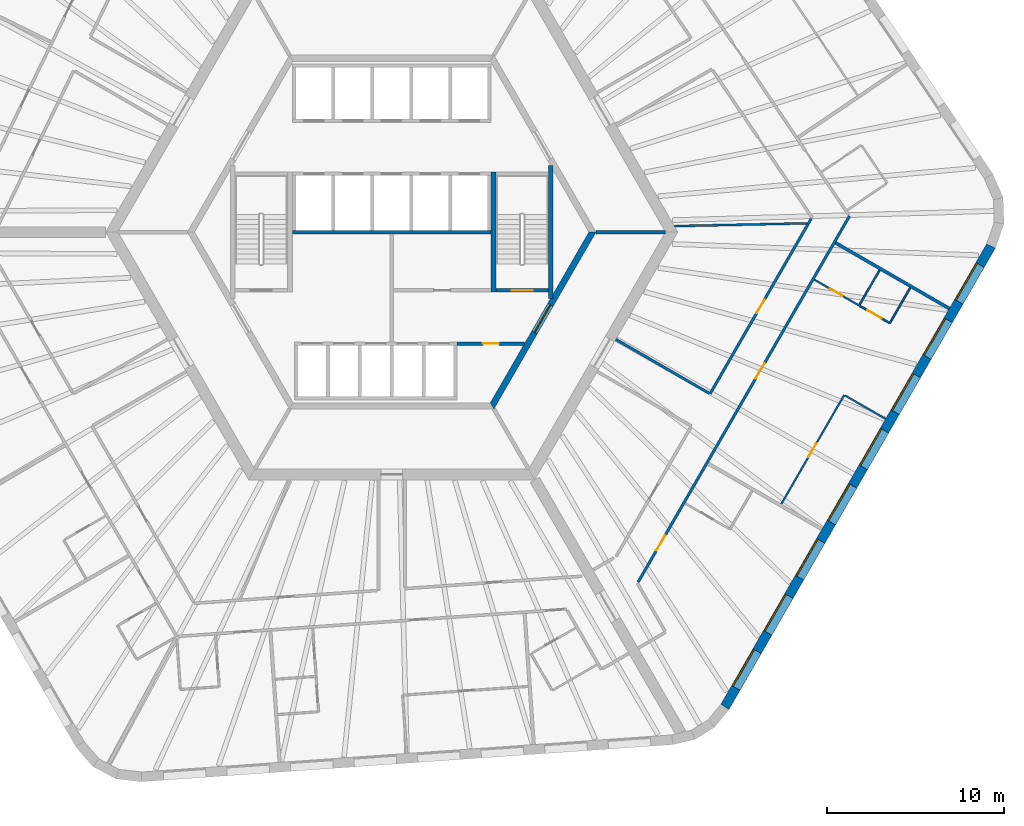
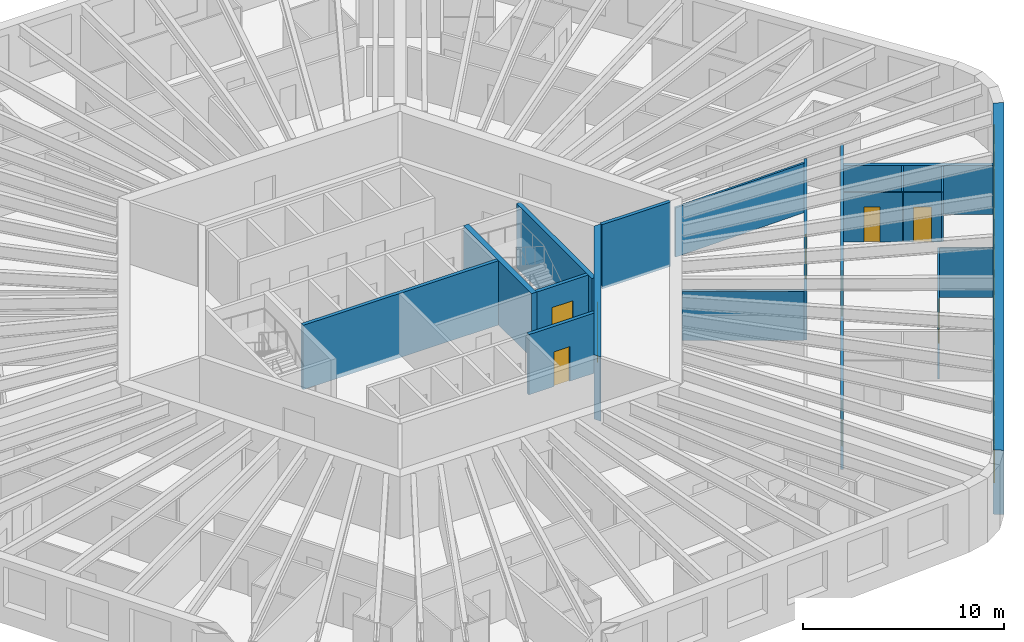
# One storey, part 6 of 12: 19 walls, 9 doors, 8 windows, 17 openings.
"""IFC4 building model written with IfcOpenShell, lengths in metres."""

from ifc_helpers import new_model, si_unit, direction, frame, frame_2d, origin, place, context, subcontext, project, spatial, polyline, rectangle, outline, extrude, material, layer, layer_set, type_object, element, fill, save


model = new_model("IFC4")

# Units and contexts
model_context = context("Model", 3, precision=1e-05, world=origin(), true_north=direction((0.0, 1.0)))
body_context = subcontext(model_context, "Body", "Model", "MODEL_VIEW")
ifc_project = project(units=[si_unit("LENGTHUNIT", "METRE"), si_unit("AREAUNIT", "SQUARE_METRE"), si_unit("VOLUMEUNIT", "CUBIC_METRE"), si_unit("PLANEANGLEUNIT", "RADIAN"), si_unit("MASSUNIT", "GRAM", prefix="KILO")], contexts=[model_context])

# Site, building, storey
site_placement = place(None, origin())
site = spatial("IfcSite", under=ifc_project, at=site_placement, CompositionType="ELEMENT")
building_placement = place(site_placement, origin())
building = spatial("IfcBuilding", under=site, at=building_placement, Name="Tarnside Tower", CompositionType="ELEMENT")
storey_placement = place(building_placement, frame((0.0, 0.0, 131.10009765625)))
storey = spatial("IfcBuildingStorey", under=building, at=storey_placement, Name="L30", CompositionType="ELEMENT", Elevation=131.10009765625)

# Wall, opening, door
ifc_material_1 = material(Name="Gypsum board partition on steel studs", Category="steel")
ifc_layer_1 = layer(ifc_material_1, 0.10009765625)
ifc_layer_set_1 = layer_set([ifc_layer_1], Name="Bathroom wall 100")
wall_type_1 = type_object("IfcWallType", Name="Bathroom wall 100", PredefinedType="PARTITIONING", material=ifc_layer_set_1)
wall_1_placement = place(storey_placement, frame((26.412841796875, -4.151611328125, 0.0), z_axis=(0.0, 0.0, 1.0), x_axis=(-0.86601045545, 0.500025890382, 0.0)))
wall_1 = element("IfcWall", 1, at=wall_1_placement, inside=storey, type_object=wall_type_1, Name="Bathroom wall 09148", PredefinedType="PARTITIONING", context=body_context, shape_type="SweptSolid", body=[
    extrude(rectangle(XDim=2.925048828125, YDim=0.10009765625, at=frame_2d((1.46240234375, 0.0))), origin(), (0.0, 0.0, 1.0), 2.98779296875),
])
opening_1_placement = place(wall_1_placement, frame((1.10009765625, 0.0, 0.0)))
opening_1 = element("IfcOpeningElement", 2, at=opening_1_placement, cuts=wall_1, Name="Opening D-B1", PredefinedType="OPENING", context=body_context, shape_type="SweptSolid", body=[
    extrude(rectangle(XDim=0.800048828125, YDim=2.10009765625, at=frame_2d((0.39990234375, 1.050048828125))), frame((0.0, 0.06005859375, 0.0), z_axis=(0.0, -1.0, 0.0), x_axis=(1.0, 0.0, 0.0)), (0.0, 0.0, 1.0), 0.1201171875),
])
ifc_material_2 = material(Name="Timber door leaf", Category="wood")
door_type_1 = type_object("IfcDoorType", Name="Bathroom door 800", OperationType="NOTDEFINED", PredefinedType="DOOR", material=ifc_material_2)
door_1_placement = place(opening_1_placement, origin())
door_1 = element("IfcDoor", 3, at=door_1_placement, inside=storey, type_object=door_type_1, Name="Bathroom door 09034", OperationType="SINGLE_SWING_LEFT", OverallHeight=2.10009765625, OverallWidth=0.800048828125, PredefinedType="DOOR", context=body_context, shape_type="SweptSolid", body=[
    extrude(rectangle(XDim=0.800048828125, YDim=2.10009765625, at=frame_2d((0.39990234375, 1.050048828125))), frame((0.0, 0.02490234375, 0.0), z_axis=(0.0, -1.0, 0.0), x_axis=(1.0, 0.0, 0.0)), (0.0, 0.0, 1.0), 0.050048828125),
])
fill(opening_1, door_1)

# Wall
wall_2_placement = place(storey_placement, frame((26.43798828125, -4.1083984375, 0.0), z_axis=(0.0, 0.0, 1.0), x_axis=(0.49995000081, 0.866054268906, 0.0)))
element("IfcWall", 4, at=wall_2_placement, inside=storey, type_object=wall_type_1, Name="Bathroom wall 09154", PredefinedType="PARTITIONING", context=body_context, shape_type="SweptSolid", body=[
    extrude(rectangle(XDim=2.260009765625, YDim=0.10009765625, at=frame_2d((1.1298828125, 0.0))), origin(), (0.0, 0.0, 1.0), 2.98779296875),
])

# Wall, opening, door
ifc_material_3 = material(Name="Concrete C50/60", Category="concrete")
ifc_layer_2 = layer(ifc_material_3, 0.35009765625)
ifc_layer_set_2 = layer_set([ifc_layer_2], Name="Core block wall 350 C50/60")
wall_type_2 = type_object("IfcWallType", Name="Core block wall 350 C50/60", PredefinedType="SHEAR", material=ifc_layer_set_2)
wall_3_placement = place(storey_placement, frame((5.672607421875, -9.824951171875, -0.150146484375), z_axis=(0.0, 0.0, 1.0), x_axis=(0.499995046907, 0.866028263435, 0.0)))
wall_3 = element("IfcWall", 5, at=wall_3_placement, inside=storey, type_object=wall_type_2, Name="L30 core block wall face 5", PredefinedType="SHEAR", context=body_context, shape_type="SweptSolid", body=[
    extrude(outline(polyline([(-0.10107421875, -0.175048828125), (11.44580078125, -0.175048828125), (11.24365234375, 0.175048828125), (0.10107421875, 0.175048828125), (-0.10107421875, -0.175048828125)])), origin(), (0.0, 0.0, 1.0), 3.900146484375),
])
opening_2_placement = place(wall_3_placement, frame((4.80126953125, 0.0, 0.14990234375)))
opening_2 = element("IfcOpeningElement", 6, at=opening_2_placement, cuts=wall_3, Name="Opening CD-FFL", PredefinedType="OPENING", context=body_context, shape_type="SweptSolid", body=[
    extrude(rectangle(XDim=1.800048828125, YDim=2.39990234375, at=frame_2d((0.89990234375, 1.199951171875))), frame((0.0, 0.18505859375, 0.0), z_axis=(0.0, -1.0, 0.0), x_axis=(1.0, 0.0, 0.0)), (0.0, 0.0, 1.0), 0.3701171875),
])
ifc_material_4 = material(Name="Steel fire door", Category="steel")
door_type_2 = type_object("IfcDoorType", Name="Firefighting lobby double door FD60S 1800x2400", OperationType="NOTDEFINED", PredefinedType="DOOR", material=ifc_material_4)
door_2_placement = place(opening_2_placement, origin())
door_2 = element("IfcDoor", 7, at=door_2_placement, inside=storey, type_object=door_type_2, Name="L30 lobby block door P4", OperationType="DOUBLE_DOOR_SINGLE_SWING", OverallHeight=2.39990234375, OverallWidth=1.800048828125, PredefinedType="DOOR", context=body_context, shape_type="SweptSolid", body=[
    extrude(rectangle(XDim=1.800048828125, YDim=2.39990234375, at=frame_2d((0.89990234375, 1.199951171875))), frame((0.0, 0.02490234375, 0.0), z_axis=(0.0, -1.0, 0.0), x_axis=(1.0, 0.0, 0.0)), (0.0, 0.0, 1.0), 0.050048828125),
])
fill(opening_2, door_2)

ifc_material_5 = material(Name="Concrete C40/50", Category="concrete")
ifc_layer_3 = layer(ifc_material_5, 0.199951171875)
ifc_layer_set_3 = layer_set([ifc_layer_3], Name="Core room partition 200 C40/50")
wall_type_3 = type_object("IfcWallType", Name="Core room partition 200 C40/50", PredefinedType="PARTITIONING", material=ifc_layer_set_3)
wall_4_placement = place(storey_placement, frame((3.699951171875, -6.300048828125, 0.0), z_axis=(0.0, 0.0, 1.0), x_axis=(1.0, 0.0, 0.0)))
wall_4 = element("IfcWall", 8, at=wall_4_placement, inside=storey, type_object=wall_type_3, Name="L30 core partition R4X", PredefinedType="PARTITIONING", context=body_context, shape_type="SweptSolid", body=[
    extrude(rectangle(XDim=3.8056640625, YDim=0.199951171875, at=frame_2d((1.90283203125, 0.0))), origin(), (0.0, 0.0, 1.0), 3.64990234375),
])
opening_3_placement = place(wall_4_placement, frame((1.452880859375, 0.0, 0.0)))
opening_3 = element("IfcOpeningElement", 9, at=opening_3_placement, cuts=wall_4, Name="Opening CD-room", PredefinedType="OPENING", context=body_context, shape_type="SweptSolid", body=[
    extrude(rectangle(XDim=0.89990234375, YDim=2.10009765625, at=frame_2d((0.449951171875, 1.050048828125))), frame((0.0, 0.10986328125, 0.0), z_axis=(0.0, -1.0, 0.0), x_axis=(1.0, 0.0, 0.0)), (0.0, 0.0, 1.0), 0.219970703125),
])
door_type_3 = type_object("IfcDoorType", Name="Room door FD60 900x2100", OperationType="NOTDEFINED", PredefinedType="DOOR", material=ifc_material_4)
door_3_placement = place(opening_3_placement, origin())
door_3 = element("IfcDoor", 10, at=door_3_placement, inside=storey, type_object=door_type_3, Name="L30 core room door RX", OperationType="SINGLE_SWING_LEFT", OverallHeight=2.10009765625, OverallWidth=0.89990234375, PredefinedType="DOOR", context=body_context, shape_type="SweptSolid", body=[
    extrude(rectangle(XDim=0.89990234375, YDim=2.10009765625, at=frame_2d((0.449951171875, 1.050048828125))), frame((0.0, 0.02490234375, 0.0), z_axis=(0.0, -1.0, 0.0), x_axis=(1.0, 0.0, 0.0)), (0.0, 0.0, 1.0), 0.050048828125),
])
fill(opening_3, door_3)

# Wall, openings, doors
ifc_layer_4 = layer(ifc_material_1, 0.14990234375)
ifc_layer_set_4 = layer_set([ifc_layer_4], Name="Corridor wall 150 EI 60")
wall_type_4 = type_object("IfcWallType", Name="Corridor wall 150 EI 60", PredefinedType="PARTITIONING", material=ifc_layer_set_4)
wall_5_placement = place(storey_placement, frame((13.928466796875, -19.77490234375, 0.0), z_axis=(0.0, 0.0, 1.0), x_axis=(0.50000450071, 0.866022805283, 0.0)))
wall_5 = element("IfcWall", 11, at=wall_5_placement, inside=storey, type_object=wall_type_4, Name="Corridor wall 09056", PredefinedType="PARTITIONING", context=body_context, shape_type="SweptSolid", body=[
    extrude(rectangle(XDim=23.877197265625, YDim=0.14990234375, at=frame_2d((11.9384765625, 0.0))), origin(), (0.0, 0.0, 1.0), 2.98779296875),
])
opening_4_placement = place(wall_5_placement, frame((2.04296875, 0.0, 0.0)))
opening_4 = element("IfcOpeningElement", 12, at=opening_4_placement, cuts=wall_5, Name="Opening D-E1", PredefinedType="OPENING", context=body_context, shape_type="SweptSolid", body=[
    extrude(rectangle(XDim=1.0, YDim=2.10009765625, at=frame_2d((0.5, 1.050048828125))), frame((0.0, 0.0849609375, 0.0), z_axis=(0.0, -1.0, 0.0), x_axis=(1.0, 0.0, 0.0)), (0.0, 0.0, 1.0), 0.169921875),
])
opening_5_placement = place(wall_5_placement, frame((13.2724609375, 0.0, 0.0)))
opening_5 = element("IfcOpeningElement", 13, at=opening_5_placement, cuts=wall_5, Name="Opening D-E1", PredefinedType="OPENING", context=body_context, shape_type="SweptSolid", body=[
    extrude(rectangle(XDim=1.0, YDim=2.10009765625, at=frame_2d((0.5, 1.050048828125))), frame((0.0, 0.0849609375, 0.0), z_axis=(0.0, -1.0, 0.0), x_axis=(1.0, 0.0, 0.0)), (0.0, 0.0, 1.0), 0.169921875),
])
door_type_4 = type_object("IfcDoorType", Name="Unit entrance door 1000 FD30S", OperationType="NOTDEFINED", PredefinedType="DOOR", material=ifc_material_2)
door_4_placement = place(opening_4_placement, origin())
door_4 = element("IfcDoor", 14, at=door_4_placement, inside=storey, type_object=door_type_4, Name="Unit door 09031", OperationType="SINGLE_SWING_RIGHT", OverallHeight=2.10009765625, OverallWidth=1.0, PredefinedType="DOOR", context=body_context, shape_type="SweptSolid", body=[
    extrude(rectangle(XDim=1.0, YDim=2.10009765625, at=frame_2d((0.5, 1.050048828125))), frame((0.0, 0.02490234375, 0.0), z_axis=(0.0, -1.0, 0.0), x_axis=(1.0, 0.0, 0.0)), (0.0, 0.0, 1.0), 0.050048828125),
])
fill(opening_4, door_4)
door_5_placement = place(opening_5_placement, origin())
door_5 = element("IfcDoor", 15, at=door_5_placement, inside=storey, type_object=door_type_4, Name="Unit door 09033", OperationType="SINGLE_SWING_RIGHT", OverallHeight=2.10009765625, OverallWidth=1.0, PredefinedType="DOOR", context=body_context, shape_type="SweptSolid", body=[
    extrude(rectangle(XDim=1.0, YDim=2.10009765625, at=frame_2d((0.5, 1.050048828125))), frame((0.0, 0.02490234375, 0.0), z_axis=(0.0, -1.0, 0.0), x_axis=(1.0, 0.0, 0.0)), (0.0, 0.0, 1.0), 0.050048828125),
])
fill(opening_5, door_5)

# Wall, opening, door
wall_6_placement = place(storey_placement, frame((23.704345703125, 0.757080078125, 0.0), z_axis=(0.0, 0.0, 1.0), x_axis=(-0.500010297365, -0.866019458516, 0.0)))
wall_6 = element("IfcWall", 16, at=wall_6_placement, inside=storey, type_object=wall_type_4, Name="Corridor wall 09071", PredefinedType="PARTITIONING", context=body_context, shape_type="SweptSolid", body=[
    extrude(rectangle(XDim=11.428955078125, YDim=0.14990234375, at=frame_2d((5.71435546875, 0.0))), origin(), (0.0, 0.0, 1.0), 2.98779296875),
])
opening_6_placement = place(wall_6_placement, frame((5.264404296875, 0.0, 0.0)))
opening_6 = element("IfcOpeningElement", 17, at=opening_6_placement, cuts=wall_6, Name="Opening D-S1", PredefinedType="OPENING", context=body_context, shape_type="SweptSolid", body=[
    extrude(rectangle(XDim=0.89990234375, YDim=2.10009765625, at=frame_2d((0.449951171875, 1.050048828125))), frame((0.0, 0.0849609375, 0.0), z_axis=(0.0, -1.0, 0.0), x_axis=(1.0, 0.0, 0.0)), (0.0, 0.0, 1.0), 0.169921875),
])
door_type_5 = type_object("IfcDoorType", Name="Service room door 900 FD30S", OperationType="NOTDEFINED", PredefinedType="DOOR", material=ifc_material_2)
door_6_placement = place(opening_6_placement, origin())
door_6 = element("IfcDoor", 18, at=door_6_placement, inside=storey, type_object=door_type_5, Name="Service door 09053", OperationType="SINGLE_SWING_RIGHT", OverallHeight=2.10009765625, OverallWidth=0.89990234375, PredefinedType="DOOR", context=body_context, shape_type="SweptSolid", body=[
    extrude(rectangle(XDim=0.89990234375, YDim=2.10009765625, at=frame_2d((0.449951171875, 1.050048828125))), frame((0.0, 0.02490234375, 0.0), z_axis=(0.0, -1.0, 0.0), x_axis=(1.0, 0.0, 0.0)), (0.0, 0.0, 1.0), 0.050048828125),
])
fill(opening_6, door_6)

# Walls
wall_7_placement = place(storey_placement, frame((17.9248046875, -9.103271484375, 0.0), z_axis=(0.0, 0.0, 1.0), x_axis=(-0.866013586754, 0.500020467139, 0.0)))
element("IfcWall", 19, at=wall_7_placement, inside=storey, type_object=wall_type_4, Name="Corridor wall 09072", PredefinedType="PARTITIONING", context=body_context, shape_type="SweptSolid", body=[
    extrude(rectangle(XDim=6.074951171875, YDim=0.14990234375, at=frame_2d((3.03759765625, 0.0))), origin(), (0.0, 0.0, 1.0), 2.98779296875),
])
ifc_layer_5 = layer(ifc_material_1, 0.179931640625)
ifc_layer_set_5 = layer_set([ifc_layer_5], Name="Demising wall 180 EI 60")
wall_type_5 = type_object("IfcWallType", Name="Demising wall 180 EI 60", PredefinedType="PARTITIONING", material=ifc_layer_set_5)
wall_8_placement = place(storey_placement, frame((31.510009765625, -4.322998046875, 0.0), z_axis=(0.0, 0.0, 1.0), x_axis=(-0.866028983062, 0.499993800457, 0.0)))
element("IfcWall", 20, at=wall_8_placement, inside=storey, type_object=wall_type_5, Name="Demising wall 09153", PredefinedType="PARTITIONING", context=body_context, shape_type="SweptSolid", body=[
    extrude(rectangle(XDim=7.4248046875, YDim=0.179931640625, at=frame_2d((3.71240234375, 0.0))), origin(), (0.0, 0.0, 1.0), 2.98779296875),
])
ifc_layer_6 = layer(ifc_material_5, 0.199951171875)
ifc_layer_set_6 = layer_set([ifc_layer_6], Name="Lift shaft wall 200 C40/50")
wall_type_6 = type_object("IfcWallType", Name="Lift shaft wall 200 C40/50", PredefinedType="SHEAR", material=ifc_layer_set_6)
wall_9_placement = place(storey_placement, frame((-5.60009765625, 0.0, -0.25), z_axis=(0.0, 0.0, 1.0), x_axis=(1.0, 0.0, 0.0)))
element("IfcWall", 21, at=wall_9_placement, inside=storey, type_object=wall_type_6, Name="L30 lift shaft back wall R2", PredefinedType="SHEAR", context=body_context, shape_type="SweptSolid", body=[
    extrude(rectangle(XDim=11.2001953125, YDim=0.199951171875, at=frame_2d((5.60009765625, 0.0))), origin(), (0.0, 0.0, 1.0), 3.89990234375),
])
wall_10_placement = place(storey_placement, frame((11.547119140625, 0.0, -0.150146484375), z_axis=(0.0, 0.0, 1.0), x_axis=(1.0, 0.0, 0.0)))
element("IfcWall", 22, at=wall_10_placement, inside=storey, type_object=wall_type_6, Name="L30 core partition AR0", PredefinedType="SHEAR", context=body_context, shape_type="SweptSolid", body=[
    extrude(rectangle(XDim=3.92578125, YDim=0.199951171875, at=frame_2d((1.962890625, 0.0))), origin(), (0.0, 0.0, 1.0), 3.900146484375),
])

# Wall, opening, door
wall_11_placement = place(storey_placement, frame((5.89990234375, -3.300048828125, -0.25), z_axis=(0.0, 0.0, 1.0), x_axis=(1.0, 0.0, 0.0)))
wall_11 = element("IfcWall", 23, at=wall_11_placement, inside=storey, type_object=wall_type_6, Name="L30 stair 1 enclosure cap wall s", PredefinedType="SHEAR", context=body_context, shape_type="SweptSolid", body=[
    extrude(rectangle(XDim=2.9501953125, YDim=0.199951171875, at=frame_2d((1.47509765625, 0.0))), origin(), (0.0, 0.0, 1.0), 3.89990234375),
])
opening_7_placement = place(wall_11_placement, frame((0.875, 0.0, 0.25)))
opening_7 = element("IfcOpeningElement", 24, at=opening_7_placement, cuts=wall_11, Name="Opening CD-STR", PredefinedType="OPENING", context=body_context, shape_type="SweptSolid", body=[
    extrude(rectangle(XDim=1.199951171875, YDim=2.39990234375, at=frame_2d((0.60009765625, 1.199951171875))), frame((0.0, 0.10986328125, 0.0), z_axis=(0.0, -1.0, 0.0), x_axis=(1.0, 0.0, 0.0)), (0.0, 0.0, 1.0), 0.219970703125),
])
door_type_6 = type_object("IfcDoorType", Name="Stair door FD60S 1200x2400", OperationType="NOTDEFINED", PredefinedType="DOOR", material=ifc_material_4)
door_7_placement = place(opening_7_placement, origin())
door_7 = element("IfcDoor", 25, at=door_7_placement, inside=storey, type_object=door_type_6, Name="L30 stair 1 door", OperationType="SINGLE_SWING_LEFT", OverallHeight=2.39990234375, OverallWidth=1.199951171875, PredefinedType="DOOR", context=body_context, shape_type="SweptSolid", body=[
    extrude(rectangle(XDim=1.199951171875, YDim=2.39990234375, at=frame_2d((0.60009765625, 1.199951171875))), frame((0.0, 0.02490234375, 0.0), z_axis=(0.0, -1.0, 0.0), x_axis=(1.0, 0.0, 0.0)), (0.0, 0.0, 1.0), 0.050048828125),
])
fill(opening_7, door_7)

# Wall
ifc_layer_7 = layer(ifc_material_1, 0.10009765625)
ifc_layer_set_7 = layer_set([ifc_layer_7], Name="Partition 100")
wall_type_7 = type_object("IfcWallType", Name="Partition 100", PredefinedType="PARTITIONING", material=ifc_layer_set_7)
wall_12_placement = place(storey_placement, frame((29.2998046875, -3.151123046875, 0.0), z_axis=(0.0, 0.0, 1.0), x_axis=(-0.499935939261, -0.866062386111, 0.0)))
element("IfcWall", 26, at=wall_12_placement, inside=storey, type_object=wall_type_7, Name="Partition wall 09149", PredefinedType="PARTITIONING", context=body_context, shape_type="SweptSolid", body=[
    extrude(rectangle(XDim=2.309814453125, YDim=0.10009765625, at=frame_2d((1.15478515625, 0.0))), origin(), (0.0, 0.0, 1.0), 2.98779296875),
])

# Wall, opening, door
wall_13_placement = place(storey_placement, frame((28.1015625, -5.12646484375, 0.0), z_axis=(0.0, 0.0, 1.0), x_axis=(-0.866044365799, 0.499967155389, 0.0)))
wall_13 = element("IfcWall", 27, at=wall_13_placement, inside=storey, type_object=wall_type_7, Name="Partition wall 09150", PredefinedType="PARTITIONING", context=body_context, shape_type="SweptSolid", body=[
    extrude(rectangle(XDim=1.900146484375, YDim=0.10009765625, at=frame_2d((0.9501953125, 0.0))), origin(), (0.0, 0.0, 1.0), 2.98779296875),
])
opening_8_placement = place(wall_13_placement, frame((0.5, 0.0, 0.0)))
opening_8 = element("IfcOpeningElement", 28, at=opening_8_placement, cuts=wall_13, Name="Opening D-I1", PredefinedType="OPENING", context=body_context, shape_type="SweptSolid", body=[
    extrude(rectangle(XDim=0.89990234375, YDim=2.10009765625, at=frame_2d((0.449951171875, 1.050048828125))), frame((0.0, 0.06005859375, 0.0), z_axis=(0.0, -1.0, 0.0), x_axis=(1.0, 0.0, 0.0)), (0.0, 0.0, 1.0), 0.1201171875),
])
door_type_7 = type_object("IfcDoorType", Name="Internal door 900", OperationType="NOTDEFINED", PredefinedType="DOOR", material=ifc_material_2)
door_8_placement = place(opening_8_placement, origin())
door_8 = element("IfcDoor", 29, at=door_8_placement, inside=storey, type_object=door_type_7, Name="Internal door 09035", OperationType="SINGLE_SWING_RIGHT", OverallHeight=2.10009765625, OverallWidth=0.89990234375, PredefinedType="DOOR", context=body_context, shape_type="SweptSolid", body=[
    extrude(rectangle(XDim=0.89990234375, YDim=2.10009765625, at=frame_2d((0.449951171875, 1.050048828125))), frame((0.0, 0.02490234375, 0.0), z_axis=(0.0, -1.0, 0.0), x_axis=(1.0, 0.0, 0.0)), (0.0, 0.0, 1.0), 0.050048828125),
])
fill(opening_8, door_8)

wall_14_placement = place(storey_placement, frame((22.0166015625, -15.365966796875, 0.0), z_axis=(0.0, 0.0, 1.0), x_axis=(0.5000167099, 0.866015756104, 0.0)))
wall_14 = element("IfcWall", 30, at=wall_14_placement, inside=storey, type_object=wall_type_7, Name="Partition wall 09151", PredefinedType="PARTITIONING", context=body_context, shape_type="SweptSolid", body=[
    extrude(rectangle(XDim=7.110107421875, YDim=0.10009765625, at=frame_2d((3.55517578125, 0.0))), origin(), (0.0, 0.0, 1.0), 2.98779296875),
])
opening_9_placement = place(wall_14_placement, frame((3.06005859375, 0.0, 0.0)))
opening_9 = element("IfcOpeningElement", 31, at=opening_9_placement, cuts=wall_14, Name="Opening D-I1", PredefinedType="OPENING", context=body_context, shape_type="SweptSolid", body=[
    extrude(rectangle(XDim=0.89990234375, YDim=2.10009765625, at=frame_2d((0.449951171875, 1.050048828125))), frame((0.0, 0.06005859375, 0.0), z_axis=(0.0, -1.0, 0.0), x_axis=(1.0, 0.0, 0.0)), (0.0, 0.0, 1.0), 0.1201171875),
])
door_9_placement = place(opening_9_placement, origin())
door_9 = element("IfcDoor", 32, at=door_9_placement, inside=storey, type_object=door_type_7, Name="Internal door 09036", OperationType="SINGLE_SWING_RIGHT", OverallHeight=2.10009765625, OverallWidth=0.89990234375, PredefinedType="DOOR", context=body_context, shape_type="SweptSolid", body=[
    extrude(rectangle(XDim=0.89990234375, YDim=2.10009765625, at=frame_2d((0.449951171875, 1.050048828125))), frame((0.0, 0.02490234375, 0.0), z_axis=(0.0, -1.0, 0.0), x_axis=(1.0, 0.0, 0.0)), (0.0, 0.0, 1.0), 0.050048828125),
])
fill(opening_9, door_9)

# Walls
wall_15_placement = place(storey_placement, frame((25.614990234375, -9.2333984375, 0.0), z_axis=(0.0, 0.0, 1.0), x_axis=(0.865989200783, -0.500062700197, 0.0)))
element("IfcWall", 33, at=wall_15_placement, inside=storey, type_object=wall_type_7, Name="Partition wall 09152", PredefinedType="PARTITIONING", context=body_context, shape_type="SweptSolid", body=[
    extrude(rectangle(XDim=2.650146484375, YDim=0.10009765625, at=frame_2d((1.3251953125, 0.0))), origin(), (0.0, 0.0, 1.0), 2.98779296875),
])
ifc_layer_8 = layer(ifc_material_1, 0.1201171875)
ifc_layer_set_8 = layer_set([ifc_layer_8], Name="Service room wall 120 EI 60")
wall_type_8 = type_object("IfcWallType", Name="Service room wall 120 EI 60", PredefinedType="PARTITIONING", material=ifc_layer_set_8)
wall_16_placement = place(storey_placement, frame((23.465576171875, 0.493408203125, 0.0), z_axis=(0.0, 0.0, 1.0), x_axis=(-0.999779281543, -0.021009240783, 0.0)))
element("IfcWall", 34, at=wall_16_placement, inside=storey, type_object=wall_type_8, Name="Service wall 09176", PredefinedType="PARTITIONING", context=body_context, shape_type="SweptSolid", body=[
    extrude(rectangle(XDim=7.495361328125, YDim=0.1201171875, at=frame_2d((3.74755859375, 0.0))), origin(), (0.0, 0.0, 1.0), 2.98779296875),
])
ifc_layer_9 = layer(ifc_material_5, 0.25)
ifc_layer_set_9 = layer_set([ifc_layer_9], Name="Stair enclosure wall 250 C40/50")
wall_type_9 = type_object("IfcWallType", Name="Stair enclosure wall 250 C40/50", PredefinedType="SHEAR", material=ifc_layer_set_9)
wall_17_placement = place(storey_placement, frame((8.97509765625, -3.7548828125, -0.25), z_axis=(0.0, 0.0, 1.0), x_axis=(0.0, 1.0, 0.0)))
element("IfcWall", 35, at=wall_17_placement, inside=storey, type_object=wall_type_9, Name="L30 stair 1 enclosure wall outer", PredefinedType="SHEAR", context=body_context, shape_type="SweptSolid", body=[
    extrude(rectangle(XDim=7.509765625, YDim=0.25, at=frame_2d((3.7548828125, 0.0))), origin(), (0.0, 0.0, 1.0), 3.89990234375),
])
ifc_layer_10 = layer(ifc_material_5, 0.300048828125)
ifc_layer_set_10 = layer_set([ifc_layer_10], Name="Stair enclosure wall 300 C40/50")
wall_type_10 = type_object("IfcWallType", Name="Stair enclosure wall 300 C40/50", PredefinedType="SHEAR", material=ifc_layer_set_10)
wall_18_placement = place(storey_placement, frame((5.75, -3.39990234375, -0.25), z_axis=(0.0, 0.0, 1.0), x_axis=(0.0, 1.0, 0.0)))
element("IfcWall", 36, at=wall_18_placement, inside=storey, type_object=wall_type_10, Name="L30 stair 1 enclosure wall inner", PredefinedType="SHEAR", context=body_context, shape_type="SweptSolid", body=[
    extrude(rectangle(XDim=6.7998046875, YDim=0.300048828125, at=frame_2d((3.39990234375, 0.0))), origin(), (0.0, 0.0, 1.0), 3.89990234375),
])

# Wall, openings, windows
ifc_material_6 = material(Name="Facing brick", Category="masonry")
ifc_layer_11 = layer(ifc_material_6, 0.10205078125)
ifc_material_7 = material(Name="Concrete C60/75 precast", Category="concrete")
ifc_layer_12 = layer(ifc_material_7, 0.347900390625)
ifc_material_8 = material(Name="Mineral wool insulation")
ifc_layer_13 = layer(ifc_material_8, 0.10009765625)
ifc_layer_set_11 = layer_set([ifc_layer_11, ifc_layer_12, ifc_layer_13], Name="Tube wall 550 brick faced")
wall_type_11 = type_object("IfcWallType", Name="Tube wall 550 brick faced", PredefinedType="SOLIDWALL", material=ifc_layer_set_11)
wall_19_placement = place(storey_placement, frame((18.830322265625, -26.834716796875, -0.150146484375), z_axis=(0.0, 0.0, 1.0), x_axis=(0.500003800416, 0.866023209602, 0.0)))
wall_19 = element("IfcWall", 37, at=wall_19_placement, inside=storey, type_object=wall_type_11, Name="Tube wall L30 F5 flush 16", PredefinedType="SOLIDWALL", context=body_context, shape_type="SweptSolid", body=[
    extrude(outline(polyline([(-0.0224609375, -0.27490234375), (30.0966796875, -0.27490234375), (30.04541015625, 0.27490234375), (0.0224609375, 0.27490234375), (-0.0224609375, -0.27490234375)])), origin(), (0.0, 0.0, 1.0), 3.900146484375),
])
opening_10_placement = place(wall_19_placement, frame((1.235595703125, 0.0, 1.050048828125)))
opening_10 = element("IfcOpeningElement", 38, at=opening_10_placement, cuts=wall_19, Name="Opening WH", PredefinedType="OPENING", context=body_context, shape_type="SweptSolid", body=[
    extrude(rectangle(XDim=2.39990234375, YDim=2.39990234375, at=frame_2d((1.199951171875, 1.199951171875))), frame((0.0, 0.28515625, 0.0), z_axis=(0.0, -1.0, 0.0), x_axis=(1.0, 0.0, 0.0)), (0.0, 0.0, 1.0), 0.570068359375),
])
opening_11_placement = place(wall_19_placement, frame((4.83544921875, 0.0, 1.050048828125)))
opening_11 = element("IfcOpeningElement", 39, at=opening_11_placement, cuts=wall_19, Name="Opening WH", PredefinedType="OPENING", context=body_context, shape_type="SweptSolid", body=[
    extrude(rectangle(XDim=2.39990234375, YDim=2.39990234375, at=frame_2d((1.199951171875, 1.199951171875))), frame((0.0, 0.28515625, 0.0), z_axis=(0.0, -1.0, 0.0), x_axis=(1.0, 0.0, 0.0)), (0.0, 0.0, 1.0), 0.570068359375),
])
opening_12_placement = place(wall_19_placement, frame((8.435546875, 0.0, 1.050048828125)))
opening_12 = element("IfcOpeningElement", 40, at=opening_12_placement, cuts=wall_19, Name="Opening WH", PredefinedType="OPENING", context=body_context, shape_type="SweptSolid", body=[
    extrude(rectangle(XDim=2.39990234375, YDim=2.39990234375, at=frame_2d((1.199951171875, 1.199951171875))), frame((0.0, 0.28515625, 0.0), z_axis=(0.0, -1.0, 0.0), x_axis=(1.0, 0.0, 0.0)), (0.0, 0.0, 1.0), 0.570068359375),
])
opening_13_placement = place(wall_19_placement, frame((12.035400390625, 0.0, 1.050048828125)))
opening_13 = element("IfcOpeningElement", 41, at=opening_13_placement, cuts=wall_19, Name="Opening WH", PredefinedType="OPENING", context=body_context, shape_type="SweptSolid", body=[
    extrude(rectangle(XDim=2.39990234375, YDim=2.39990234375, at=frame_2d((1.199951171875, 1.199951171875))), frame((0.0, 0.28515625, 0.0), z_axis=(0.0, -1.0, 0.0), x_axis=(1.0, 0.0, 0.0)), (0.0, 0.0, 1.0), 0.570068359375),
])
opening_14_placement = place(wall_19_placement, frame((15.635498046875, 0.0, 1.050048828125)))
opening_14 = element("IfcOpeningElement", 42, at=opening_14_placement, cuts=wall_19, Name="Opening WH", PredefinedType="OPENING", context=body_context, shape_type="SweptSolid", body=[
    extrude(rectangle(XDim=2.39990234375, YDim=2.39990234375, at=frame_2d((1.199951171875, 1.199951171875))), frame((0.0, 0.28515625, 0.0), z_axis=(0.0, -1.0, 0.0), x_axis=(1.0, 0.0, 0.0)), (0.0, 0.0, 1.0), 0.570068359375),
])
opening_15_placement = place(wall_19_placement, frame((19.235595703125, 0.0, 1.050048828125)))
opening_15 = element("IfcOpeningElement", 43, at=opening_15_placement, cuts=wall_19, Name="Opening WH", PredefinedType="OPENING", context=body_context, shape_type="SweptSolid", body=[
    extrude(rectangle(XDim=2.39990234375, YDim=2.39990234375, at=frame_2d((1.199951171875, 1.199951171875))), frame((0.0, 0.28515625, 0.0), z_axis=(0.0, -1.0, 0.0), x_axis=(1.0, 0.0, 0.0)), (0.0, 0.0, 1.0), 0.570068359375),
])
opening_16_placement = place(wall_19_placement, frame((22.83544921875, 0.0, 1.050048828125)))
opening_16 = element("IfcOpeningElement", 44, at=opening_16_placement, cuts=wall_19, Name="Opening WH", PredefinedType="OPENING", context=body_context, shape_type="SweptSolid", body=[
    extrude(rectangle(XDim=2.39990234375, YDim=2.39990234375, at=frame_2d((1.199951171875, 1.199951171875))), frame((0.0, 0.28515625, 0.0), z_axis=(0.0, -1.0, 0.0), x_axis=(1.0, 0.0, 0.0)), (0.0, 0.0, 1.0), 0.570068359375),
])
opening_17_placement = place(wall_19_placement, frame((26.435546875, 0.0, 1.050048828125)))
opening_17 = element("IfcOpeningElement", 45, at=opening_17_placement, cuts=wall_19, Name="Opening WH", PredefinedType="OPENING", context=body_context, shape_type="SweptSolid", body=[
    extrude(rectangle(XDim=2.39990234375, YDim=2.39990234375, at=frame_2d((1.199951171875, 1.199951171875))), frame((0.0, 0.28515625, 0.0), z_axis=(0.0, -1.0, 0.0), x_axis=(1.0, 0.0, 0.0)), (0.0, 0.0, 1.0), 0.570068359375),
])
ifc_material_9 = material(Name="Aluminium-framed double glazing", Category="aluminium")
window_type = type_object("IfcWindowType", Name="Hotel window 2400 x 2400", PartitioningType="DOUBLE_PANEL_VERTICAL", PredefinedType="WINDOW", material=ifc_material_9)
window_1_placement = place(opening_10_placement, frame((0.0, 0.205078125, 0.0)))
window_1 = element("IfcWindow", 46, at=window_1_placement, inside=storey, type_object=window_type, Name="E.WN.L30.F5.00", OverallHeight=2.39990234375, OverallWidth=2.39990234375, PartitioningType="DOUBLE_PANEL_VERTICAL", PredefinedType="WINDOW", context=body_context, shape_type="SweptSolid", body=[
    extrude(rectangle(XDim=2.39990234375, YDim=2.39990234375, at=frame_2d((1.199951171875, 1.199951171875))), frame((0.0, 0.030029296875, 0.0), z_axis=(0.0, -1.0, 0.0), x_axis=(1.0, 0.0, 0.0)), (0.0, 0.0, 1.0), 0.06005859375),
])
fill(opening_10, window_1)
window_2_placement = place(opening_11_placement, frame((0.0, 0.205078125, 0.0)))
window_2 = element("IfcWindow", 47, at=window_2_placement, inside=storey, type_object=window_type, Name="E.WN.L30.F5.01", OverallHeight=2.39990234375, OverallWidth=2.39990234375, PartitioningType="DOUBLE_PANEL_VERTICAL", PredefinedType="WINDOW", context=body_context, shape_type="SweptSolid", body=[
    extrude(rectangle(XDim=2.39990234375, YDim=2.39990234375, at=frame_2d((1.199951171875, 1.199951171875))), frame((0.0, 0.030029296875, 0.0), z_axis=(0.0, -1.0, 0.0), x_axis=(1.0, 0.0, 0.0)), (0.0, 0.0, 1.0), 0.06005859375),
])
fill(opening_11, window_2)
window_3_placement = place(opening_12_placement, frame((0.0, 0.205078125, 0.0)))
window_3 = element("IfcWindow", 48, at=window_3_placement, inside=storey, type_object=window_type, Name="E.WN.L30.F5.02", OverallHeight=2.39990234375, OverallWidth=2.39990234375, PartitioningType="DOUBLE_PANEL_VERTICAL", PredefinedType="WINDOW", context=body_context, shape_type="SweptSolid", body=[
    extrude(rectangle(XDim=2.39990234375, YDim=2.39990234375, at=frame_2d((1.199951171875, 1.199951171875))), frame((0.0, 0.030029296875, 0.0), z_axis=(0.0, -1.0, 0.0), x_axis=(1.0, 0.0, 0.0)), (0.0, 0.0, 1.0), 0.06005859375),
])
fill(opening_12, window_3)
window_4_placement = place(opening_13_placement, frame((0.0, 0.205078125, 0.0)))
window_4 = element("IfcWindow", 49, at=window_4_placement, inside=storey, type_object=window_type, Name="E.WN.L30.F5.03", OverallHeight=2.39990234375, OverallWidth=2.39990234375, PartitioningType="DOUBLE_PANEL_VERTICAL", PredefinedType="WINDOW", context=body_context, shape_type="SweptSolid", body=[
    extrude(rectangle(XDim=2.39990234375, YDim=2.39990234375, at=frame_2d((1.199951171875, 1.199951171875))), frame((0.0, 0.030029296875, 0.0), z_axis=(0.0, -1.0, 0.0), x_axis=(1.0, 0.0, 0.0)), (0.0, 0.0, 1.0), 0.06005859375),
])
fill(opening_13, window_4)
window_5_placement = place(opening_14_placement, frame((0.0, 0.205078125, 0.0)))
window_5 = element("IfcWindow", 50, at=window_5_placement, inside=storey, type_object=window_type, Name="E.WN.L30.F5.04", OverallHeight=2.39990234375, OverallWidth=2.39990234375, PartitioningType="DOUBLE_PANEL_VERTICAL", PredefinedType="WINDOW", context=body_context, shape_type="SweptSolid", body=[
    extrude(rectangle(XDim=2.39990234375, YDim=2.39990234375, at=frame_2d((1.199951171875, 1.199951171875))), frame((0.0, 0.030029296875, 0.0), z_axis=(0.0, -1.0, 0.0), x_axis=(1.0, 0.0, 0.0)), (0.0, 0.0, 1.0), 0.06005859375),
])
fill(opening_14, window_5)
window_6_placement = place(opening_15_placement, frame((0.0, 0.205078125, 0.0)))
window_6 = element("IfcWindow", 51, at=window_6_placement, inside=storey, type_object=window_type, Name="E.WN.L30.F5.05", OverallHeight=2.39990234375, OverallWidth=2.39990234375, PartitioningType="DOUBLE_PANEL_VERTICAL", PredefinedType="WINDOW", context=body_context, shape_type="SweptSolid", body=[
    extrude(rectangle(XDim=2.39990234375, YDim=2.39990234375, at=frame_2d((1.199951171875, 1.199951171875))), frame((0.0, 0.030029296875, 0.0), z_axis=(0.0, -1.0, 0.0), x_axis=(1.0, 0.0, 0.0)), (0.0, 0.0, 1.0), 0.06005859375),
])
fill(opening_15, window_6)
window_7_placement = place(opening_16_placement, frame((0.0, 0.205078125, 0.0)))
window_7 = element("IfcWindow", 52, at=window_7_placement, inside=storey, type_object=window_type, Name="E.WN.L30.F5.06", OverallHeight=2.39990234375, OverallWidth=2.39990234375, PartitioningType="DOUBLE_PANEL_VERTICAL", PredefinedType="WINDOW", context=body_context, shape_type="SweptSolid", body=[
    extrude(rectangle(XDim=2.39990234375, YDim=2.39990234375, at=frame_2d((1.199951171875, 1.199951171875))), frame((0.0, 0.030029296875, 0.0), z_axis=(0.0, -1.0, 0.0), x_axis=(1.0, 0.0, 0.0)), (0.0, 0.0, 1.0), 0.06005859375),
])
fill(opening_16, window_7)
window_8_placement = place(opening_17_placement, frame((0.0, 0.205078125, 0.0)))
window_8 = element("IfcWindow", 53, at=window_8_placement, inside=storey, type_object=window_type, Name="E.WN.L30.F5.07", OverallHeight=2.39990234375, OverallWidth=2.39990234375, PartitioningType="DOUBLE_PANEL_VERTICAL", PredefinedType="WINDOW", context=body_context, shape_type="SweptSolid", body=[
    extrude(rectangle(XDim=2.39990234375, YDim=2.39990234375, at=frame_2d((1.199951171875, 1.199951171875))), frame((0.0, 0.030029296875, 0.0), z_axis=(0.0, -1.0, 0.0), x_axis=(1.0, 0.0, 0.0)), (0.0, 0.0, 1.0), 0.06005859375),
])
fill(opening_17, window_8)

save(model, "model.ifc")
